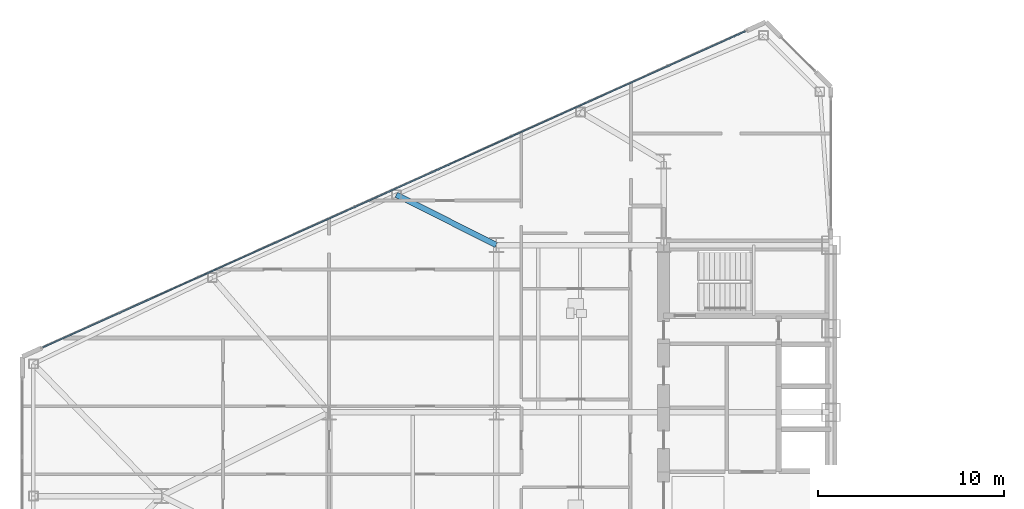
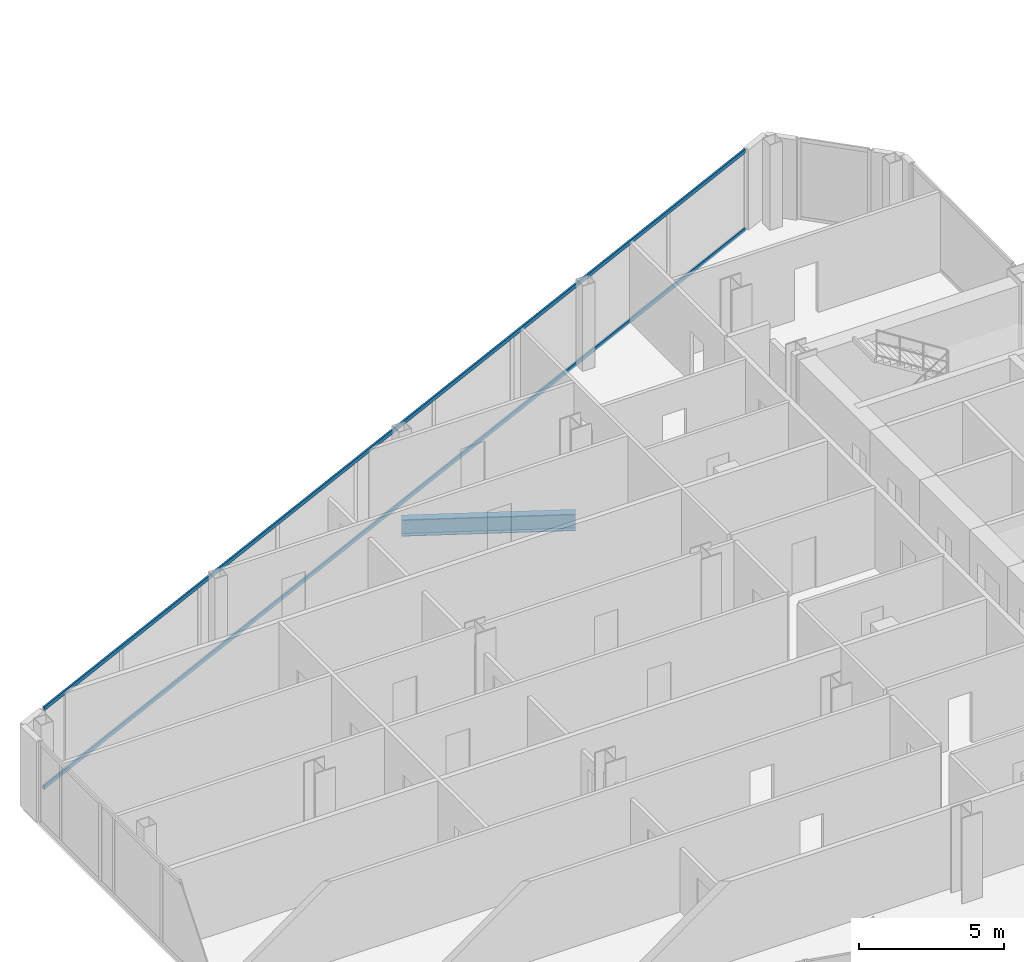
# One storey, part 8 of 27: 2 members, 1 beam, 1 element without a shape of its own.
"""IFC4 building model written with IfcOpenShell, lengths in metres."""

from ifc_helpers import new_model, si_unit, direction, frame, origin, origin_2d, place, context, subcontext, project, spatial, rectangle, i_section, extrude, source, transform, mapped, material, layer, layer_set, material_profile, profile_set, type_object, type_shapes, element, aggregate, save


model = new_model("IFC4")

# Units and contexts
model_context = context("Model", 3, precision=1e-05, world=origin(), true_north=direction((0.0, 1.0)))
body_context = subcontext(model_context, "Body", "Model", "MODEL_VIEW")
ifc_project = project(units=[si_unit("LENGTHUNIT", "METRE"), si_unit("AREAUNIT", "SQUARE_METRE"), si_unit("VOLUMEUNIT", "CUBIC_METRE"), si_unit("PLANEANGLEUNIT", "RADIAN"), si_unit("MASSUNIT", "GRAM", prefix="KILO")], contexts=[model_context])

# Site, building, storey
site_placement = place(None, origin())
site = spatial("IfcSite", under=ifc_project, at=site_placement, CompositionType="ELEMENT")
building_placement = place(site_placement, origin())
building = spatial("IfcBuilding", under=site, at=building_placement, Name="Seokmaru Belvedere", CompositionType="ELEMENT")
storey_placement = place(building_placement, frame((0.0, 0.0, 96.0)))
storey = spatial("IfcBuildingStorey", under=building, at=storey_placement, Name="L25", CompositionType="ELEMENT", Elevation=96.0)

# Beam
ifc_material_1 = material(Name="Steel SM355 (355 MPa)", Category="steel")
ifc_material_profile_1 = material_profile(ifc_material_1, i_section(OverallWidth=0.300048828125, OverallDepth=0.699951171875, WebThickness=0.012939453125, FlangeThickness=0.02392578125, at=origin_2d()), Name="H-700x300x13x24")
ifc_profile_set_1 = profile_set([ifc_material_profile_1], Name="Steel SM355 (355 MPa)")
beam_type = type_object("IfcBeamType", Name="Primary Floor Girder H-700", PredefinedType="BEAM", material=ifc_profile_set_1)
shared_shape_1 = source(origin(), body_context, "Body", "SweptSolid", [
    extrude(i_section(OverallWidth=0.300048828125, OverallDepth=0.699951171875, WebThickness=0.012939453125, FlangeThickness=0.02392578125, at=origin_2d()), origin(), (0.0, 0.0, 1.0), 6.017333984375),
])
type_shapes(beam_type, [shared_shape_1])
beam_placement = place(storey_placement, frame((-50.875, 16.205322265625, -0.570068359375), z_axis=(0.893239341975, -0.449581447512, 0.0), x_axis=(0.449581447512, 0.893239341975, 0.0)))
element("IfcBeam", 1, at=beam_placement, inside=storey, type_object=beam_type, Name="L25 W Flank Radial Floor Girder N-2", PredefinedType="BEAM", context=body_context, shape_type="MappedRepresentation", body=[
    mapped(shared_shape_1, transform((0.0, 0.0, 0.0), scale=1.0)),
])

# Curtain wall, members
ifc_material_2 = material(Name="Bronze Triple Insulating Glass", Category="glass")
ifc_layer = layer(ifc_material_2, 0.195068359375)
ifc_layer_set = layer_set([ifc_layer], Name="Bronze Triple Insulating Glass")
curtain_wall_type = type_object("IfcCurtainWallType", Name="Lower-Mid Tapered Curtain Wall System CW-3", PredefinedType="NOTDEFINED", material=ifc_layer_set)
curtain_wall_placement = place(storey_placement, origin())
curtain_wall = element("IfcCurtainWall", 2, at=curtain_wall_placement, inside=storey, type_object=curtain_wall_type, Name="L25 Curtain Wall WF3", PredefinedType="NOTDEFINED")
ifc_material_3 = material(Name="Anodised Bronze Aluminium", Category="aluminium")
ifc_material_profile_2 = material_profile(ifc_material_3, rectangle(XDim=0.070068359375, YDim=0.1650390625, at=origin_2d()), Name="CW-T-70x165")
ifc_profile_set_2 = profile_set([ifc_material_profile_2], Name="Anodised Bronze Aluminium")
member_type = type_object("IfcMemberType", Name="Bronze Unitised Transom 70x165", PredefinedType="USERDEFINED", material=ifc_profile_set_2)
shared_shape_2 = source(origin(), body_context, "Body", "SweptSolid", [
    extrude(rectangle(XDim=0.070068359375, YDim=0.1650390625, at=origin_2d()), origin(), (0.0, 0.0, 1.0), 41.423583984375),
])
type_shapes(member_type, [shared_shape_2])
member_1_placement = place(storey_placement, frame((-32.112548828125, 24.99951171875, 0.034912109375), z_axis=(-0.911918637916, -0.410371048956, 0.0), x_axis=(0.410371048956, -0.911918637916, 0.0)))
member_1 = element("IfcMember", 3, at=member_1_placement, type_object=member_type, Name="CW:L25:WF3 Continuous Transom 1", ObjectType="TRANSOM", PredefinedType="USERDEFINED", context=body_context, shape_type="MappedRepresentation", body=[
    mapped(shared_shape_2, transform((0.0, 0.0, 0.0), scale=1.0)),
])
member_2_placement = place(storey_placement, frame((-32.112548828125, 24.99951171875, 3.344970703125), z_axis=(-0.911918637916, -0.410371048956, 0.0), x_axis=(0.410371048956, -0.911918637916, 0.0)))
member_2 = element("IfcMember", 4, at=member_2_placement, type_object=member_type, Name="CW:L25:WF3 Continuous Transom 2", ObjectType="TRANSOM", PredefinedType="USERDEFINED", context=body_context, shape_type="MappedRepresentation", body=[
    mapped(shared_shape_2, transform((0.0, 0.0, 0.0), scale=1.0)),
])
aggregate(curtain_wall, [member_1, member_2])

save(model, "model.ifc")
